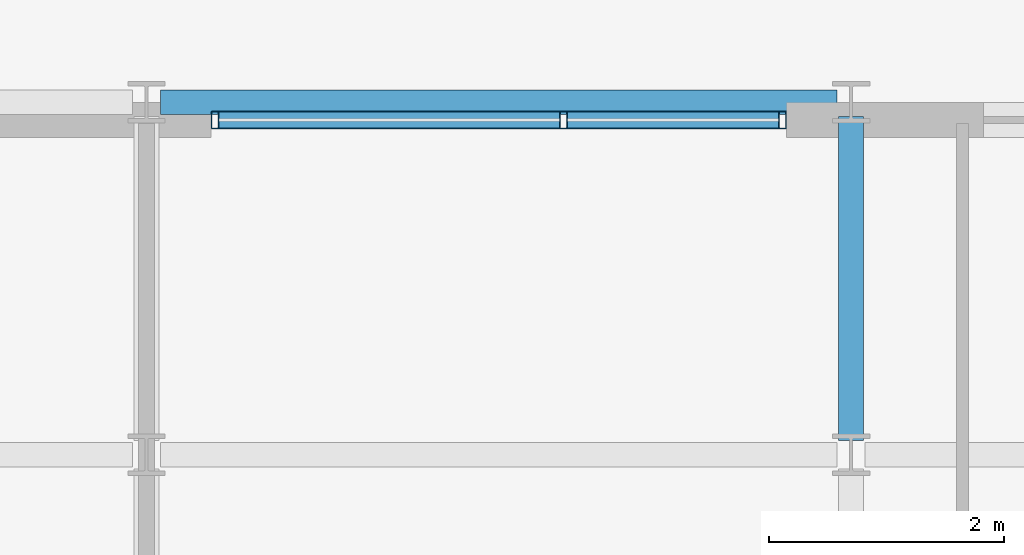
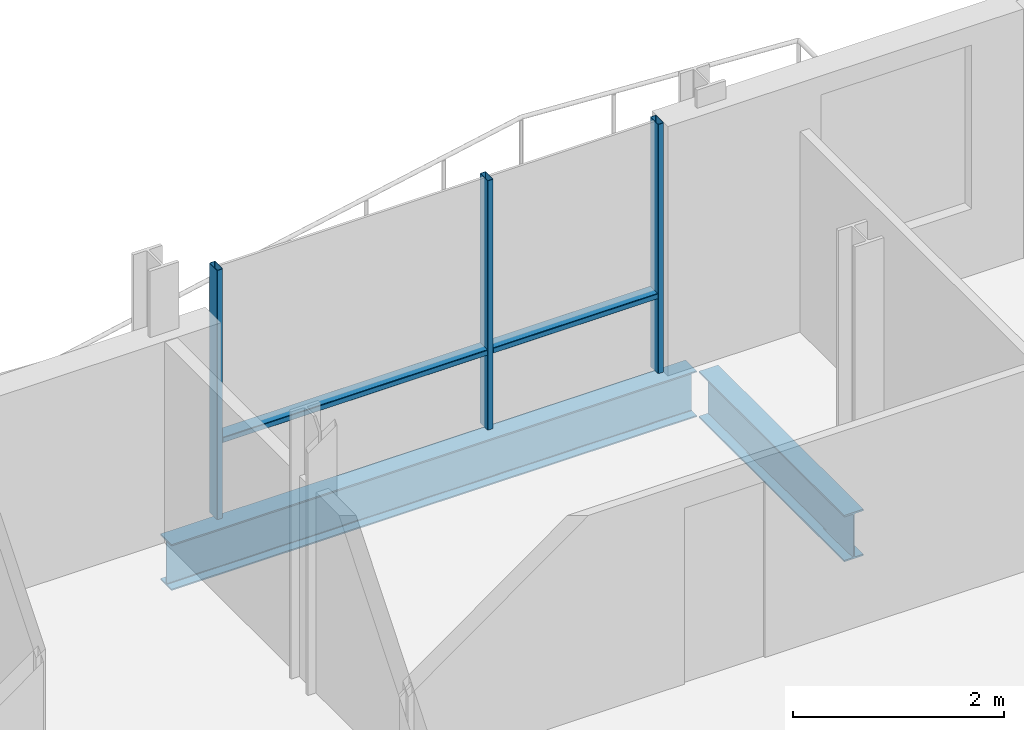
# One storey, part 4 of 12: 5 members, 2 beams, 1 element without a shape of its own.
"""IFC4 building model written with IfcOpenShell, lengths in metres."""

from ifc_helpers import new_model, si_unit, direction, frame, origin, origin_2d, place, context, subcontext, project, spatial, hollow_rectangle, i_section, extrude, material, layer, layer_set, material_profile, profile_set, type_object, element, aggregate, save


model = new_model("IFC4")

# Units and contexts
model_context = context("Model", 3, precision=1e-05, world=origin(), true_north=direction((0.0, 1.0)))
body_context = subcontext(model_context, "Body", "Model", "MODEL_VIEW")
ifc_project = project(units=[si_unit("LENGTHUNIT", "METRE"), si_unit("AREAUNIT", "SQUARE_METRE"), si_unit("VOLUMEUNIT", "CUBIC_METRE"), si_unit("PLANEANGLEUNIT", "RADIAN"), si_unit("MASSUNIT", "GRAM", prefix="KILO")], contexts=[model_context])

# Site, building, storey
site_placement = place(None, origin())
site = spatial("IfcSite", under=ifc_project, at=site_placement, CompositionType="ELEMENT")
building_placement = place(site_placement, origin())
building = spatial("IfcBuilding", under=site, at=building_placement, Name="Brevholm Reach", CompositionType="ELEMENT")
storey_placement = place(building_placement, frame((0.0, 0.0, 227.300048828125)))
storey = spatial("IfcBuildingStorey", under=building, at=storey_placement, Name="L69", CompositionType="ELEMENT", Elevation=227.300048828125)

# Beams
ifc_material_1 = material(Name="Structural Steel S355J2", Category="steel")
ifc_material_profile_1 = material_profile(ifc_material_1, i_section(OverallWidth=0.209228515625, OverallDepth=0.533203125, WebThickness=0.010009765625, FlangeThickness=0.015625, FilletRadius=0.0126953125, at=origin_2d()), Name="UKB 533x210x92")
ifc_profile_set_1 = profile_set([ifc_material_profile_1], Name="Structural Steel S355J2")
beam_type_1 = type_object("IfcBeamType", Name="BM-SP533", PredefinedType="SPANDREL", material=ifc_profile_set_1)
beam_1_placement = place(storey_placement, frame((48.1201171875, 26.5, -0.4765625), z_axis=(1.0, 0.0, 0.0), x_axis=(0.0, 1.0, 0.0)))
element("IfcBeam", 1, at=beam_1_placement, inside=storey, type_object=beam_type_1, Name="L69 SP-02 Framing Beam", PredefinedType="SPANDREL", context=body_context, shape_type="SweptSolid", body=[
    extrude(i_section(OverallWidth=0.209228515625, OverallDepth=0.533203125, WebThickness=0.010009765625, FlangeThickness=0.015625, FilletRadius=0.0126953125, at=origin_2d()), origin(), (0.0, 0.0, 1.0), 5.759765625),
])
ifc_material_2 = material(Name="Structural Steel S355J2", Category="steel")
ifc_material_profile_2 = material_profile(ifc_material_2, i_section(OverallWidth=0.210693359375, OverallDepth=0.53955078125, WebThickness=0.01171875, FlangeThickness=0.018798828125, FilletRadius=0.0126953125, at=origin_2d()), Name="UKB 533x210x109")
ifc_profile_set_2 = profile_set([ifc_material_profile_2], Name="Structural Steel S355J2")
beam_type_2 = type_object("IfcBeamType", Name="BM-SP539", PredefinedType="SPANDREL", material=ifc_profile_set_2)
beam_2_placement = place(storey_placement, frame((54.0, 23.6201171875, -0.479736328125), z_axis=(0.0, 1.0, 0.0), x_axis=(-1.0, 0.0, 0.0)))
element("IfcBeam", 2, at=beam_2_placement, inside=storey, type_object=beam_type_2, Name="L69 SP-01B Framing Beam", PredefinedType="SPANDREL", context=body_context, shape_type="SweptSolid", body=[
    extrude(i_section(OverallWidth=0.210693359375, OverallDepth=0.53955078125, WebThickness=0.01171875, FlangeThickness=0.018798828125, FilletRadius=0.0126953125, at=origin_2d()), origin(), (0.0, 0.0, 1.0), 2.759765625),
])

# Curtain wall, members
ifc_material_3 = material(Name="Dark Anodised Aluminium 6063-T6 and Solar-Control Glass", Category="aluminium")
ifc_layer = layer(ifc_material_3, 0.14990234375)
ifc_layer_set = layer_set([ifc_layer], Name="Dark Anodised Aluminium 6063-T6 and Solar-Control Glass")
curtain_wall_type = type_object("IfcCurtainWallType", Name="CW-01", PredefinedType="NOTDEFINED", material=ifc_layer_set)
curtain_wall_placement = place(storey_placement, origin())
curtain_wall = element("IfcCurtainWall", 3, at=curtain_wall_placement, inside=storey, type_object=curtain_wall_type, Name="L69 Curtain Wall CW-01", PredefinedType="NOTDEFINED")
ifc_material_4 = material(Name="Dark Anodised Aluminium 6063-T6", Category="aluminium")
ifc_material_profile_3 = material_profile(ifc_material_4, hollow_rectangle(XDim=0.06494140625, YDim=0.14990234375, WallThickness=0.0048828125, InnerFilletRadius=0.0048828125, OuterFilletRadius=0.010009765625, at=origin_2d()), Name="RHS 150x65x5")
ifc_profile_set_3 = profile_set([ifc_material_profile_3], Name="Dark Anodised Aluminium 6063-T6")
member_type_1 = type_object("IfcMemberType", Name="CWM-150", PredefinedType="MULLION", material=ifc_profile_set_3)
member_1_placement = place(storey_placement, frame((48.58251953125, 26.35009765625, 0.0), z_axis=(0.0, 0.0, 1.0), x_axis=(1.0, 0.0, 0.0)))
member_1 = element("IfcMember", 4, at=member_1_placement, type_object=member_type_1, Name="CM-150 Mullion 1", PredefinedType="MULLION", context=body_context, shape_type="SweptSolid", body=[
    extrude(hollow_rectangle(XDim=0.06494140625, YDim=0.14990234375, WallThickness=0.0048828125, InnerFilletRadius=0.0048828125, OuterFilletRadius=0.010009765625, at=origin_2d()), origin(), (0.0, 0.0, 1.0), 2.889892578125),
])
member_2_placement = place(storey_placement, frame((51.550048828125, 26.35009765625, 0.0), z_axis=(0.0, 0.0, 1.0), x_axis=(1.0, 0.0, 0.0)))
member_2 = element("IfcMember", 5, at=member_2_placement, type_object=member_type_1, Name="CM-150 Mullion 2", PredefinedType="MULLION", context=body_context, shape_type="SweptSolid", body=[
    extrude(hollow_rectangle(XDim=0.06494140625, YDim=0.14990234375, WallThickness=0.0048828125, InnerFilletRadius=0.0048828125, OuterFilletRadius=0.010009765625, at=origin_2d()), origin(), (0.0, 0.0, 1.0), 2.889892578125),
])
member_3_placement = place(storey_placement, frame((53.41748046875, 26.35009765625, 0.0), z_axis=(0.0, 0.0, 1.0), x_axis=(1.0, 0.0, 0.0)))
member_3 = element("IfcMember", 6, at=member_3_placement, type_object=member_type_1, Name="CM-150 Mullion 3", PredefinedType="MULLION", context=body_context, shape_type="SweptSolid", body=[
    extrude(hollow_rectangle(XDim=0.06494140625, YDim=0.14990234375, WallThickness=0.0048828125, InnerFilletRadius=0.0048828125, OuterFilletRadius=0.010009765625, at=origin_2d()), origin(), (0.0, 0.0, 1.0), 2.889892578125),
])
ifc_material_5 = material(Name="Dark Anodised Aluminium 6063-T6", Category="aluminium")
ifc_material_profile_4 = material_profile(ifc_material_5, hollow_rectangle(XDim=0.06494140625, YDim=0.14990234375, WallThickness=0.0048828125, InnerFilletRadius=0.0048828125, OuterFilletRadius=0.010009765625, at=origin_2d()), Name="RHS 150x65x5")
ifc_profile_set_4 = profile_set([ifc_material_profile_4], Name="Dark Anodised Aluminium 6063-T6")
member_type_2 = type_object("IfcMemberType", Name="CWT-150", PredefinedType="NOTDEFINED", material=ifc_profile_set_4)
member_4_placement = place(storey_placement, frame((48.614990234375, 26.35009765625, 0.89990234375), z_axis=(1.0, 0.0, 0.0), x_axis=(0.0, 0.0, 1.0)))
member_4 = element("IfcMember", 7, at=member_4_placement, type_object=member_type_2, Name="CT-150 Transom 1.1", ObjectType="TRANSOM", PredefinedType="USERDEFINED", context=body_context, shape_type="SweptSolid", body=[
    extrude(hollow_rectangle(XDim=0.06494140625, YDim=0.14990234375, WallThickness=0.0048828125, InnerFilletRadius=0.0048828125, OuterFilletRadius=0.010009765625, at=origin_2d()), origin(), (0.0, 0.0, 1.0), 2.902587890625),
])
member_5_placement = place(storey_placement, frame((51.58251953125, 26.35009765625, 0.89990234375), z_axis=(1.0, 0.0, 0.0), x_axis=(0.0, 0.0, 1.0)))
member_5 = element("IfcMember", 8, at=member_5_placement, type_object=member_type_2, Name="CT-150 Transom 2.1", ObjectType="TRANSOM", PredefinedType="USERDEFINED", context=body_context, shape_type="SweptSolid", body=[
    extrude(hollow_rectangle(XDim=0.06494140625, YDim=0.14990234375, WallThickness=0.0048828125, InnerFilletRadius=0.0048828125, OuterFilletRadius=0.010009765625, at=origin_2d()), origin(), (0.0, 0.0, 1.0), 1.802490234375),
])
aggregate(curtain_wall, [member_1, member_2, member_3, member_4, member_5])

save(model, "model.ifc")
